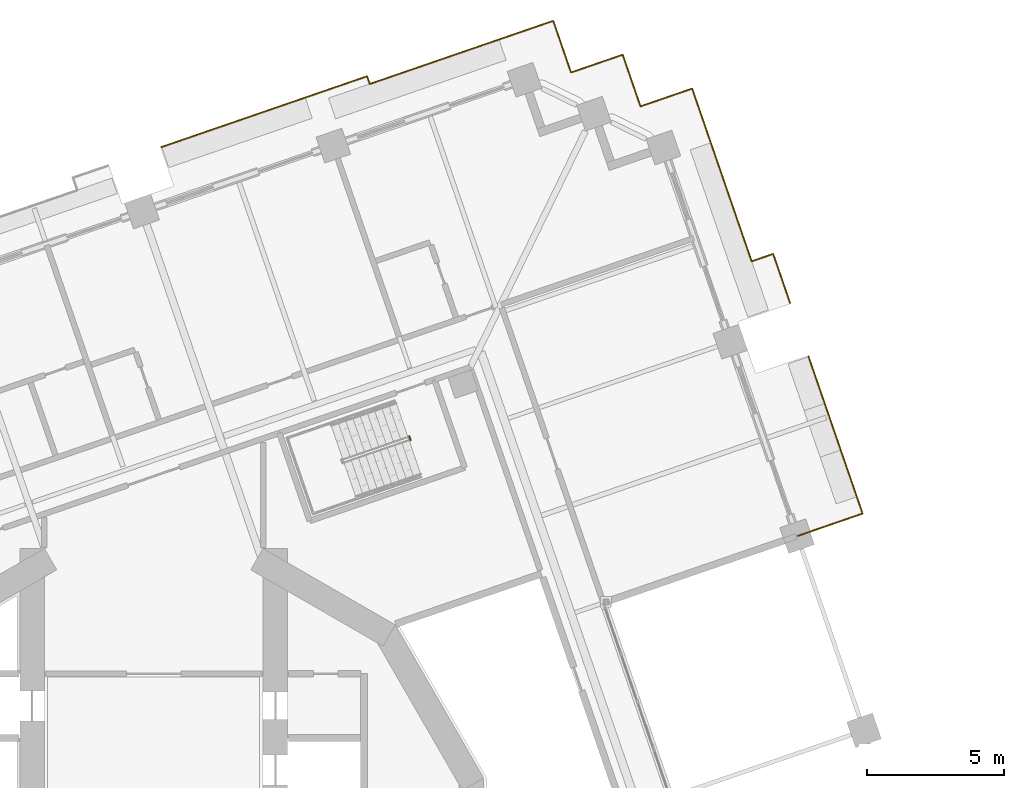
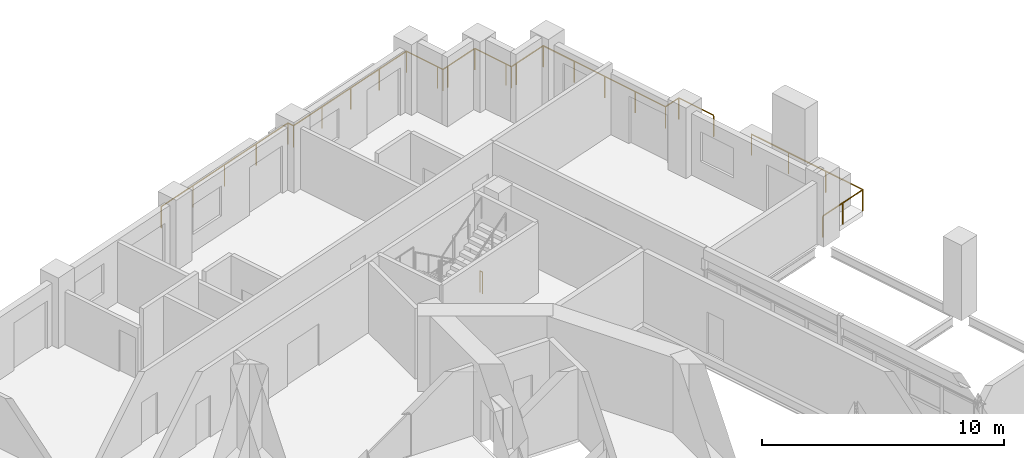
# One storey, part 21 of 22: 4 railings.
"""IFC4 building model written with IfcOpenShell, lengths in metres."""

from ifc_helpers import new_model, si_unit, direction, frame, origin, origin_2d, place, context, subcontext, project, spatial, circle, extrude, material, type_object, element, save


model = new_model("IFC4")

# Units and contexts
model_context = context("Model", 3, precision=1e-05, world=origin(), true_north=direction((0.0, 1.0)))
body_context = subcontext(model_context, "Body", "Model", "MODEL_VIEW")
ifc_project = project(units=[si_unit("LENGTHUNIT", "METRE"), si_unit("AREAUNIT", "SQUARE_METRE"), si_unit("VOLUMEUNIT", "CUBIC_METRE"), si_unit("PLANEANGLEUNIT", "RADIAN"), si_unit("MASSUNIT", "GRAM", prefix="KILO")], contexts=[model_context])

# Site, building, storey
site_placement = place(None, origin())
site = spatial("IfcSite", under=ifc_project, at=site_placement, CompositionType="ELEMENT")
building_placement = place(site_placement, origin())
building = spatial("IfcBuilding", under=site, at=building_placement, Name="Cantera Rosa Tower", CompositionType="ELEMENT")
storey_placement = place(building_placement, frame((0.0, 0.0, 115.5)))
storey = spatial("IfcBuildingStorey", under=building, at=storey_placement, Name="L23", CompositionType="ELEMENT", Elevation=115.5)

# Railings
ifc_material_1 = material(Name="Stainless steel and laminated glass", Category="steel")
railing_type_1 = type_object("IfcRailingType", Name="GUARD 1100", PredefinedType="BALUSTRADE", material=ifc_material_1)
railing_1_placement = place(storey_placement, frame((23.9619140625, 18.668212890625, 0.0)))
element("IfcRailing", 1, at=railing_1_placement, inside=storey, type_object=railing_type_1, Name="GUARD L23-11", PredefinedType="BALUSTRADE", context=body_context, shape_type="SweptSolid", body=[
    extrude(circle(Radius=0.030029296875, at=origin_2d()), frame((0.0, 0.0, 1.070068359375), z_axis=(0.325569345815, -0.945518165381, 0.0), x_axis=(0.945518165381, 0.325569345815, 0.0)), (0.0, 0.0, 1.0), 6.08984375),
    extrude(circle(Radius=0.030029296875, at=origin_2d()), frame((1.982666015625, -5.758056640625, 1.070068359375), z_axis=(-0.945510144898, -0.325592637963, 0.0), x_axis=(0.325592637963, -0.945510144898, 0.0)), (0.0, 0.0, 1.0), 2.51416015625),
    extrude(circle(Radius=0.02490234375, at=origin_2d()), origin(), (0.0, 0.0, 1.0), 1.0400390625),
    extrude(circle(Radius=0.02490234375, at=origin_2d()), frame((0.660888671875, -1.91943359375, 0.0)), (0.0, 0.0, 1.0), 1.0400390625),
    extrude(circle(Radius=0.02490234375, at=origin_2d()), frame((1.32177734375, -3.838623046875, 0.0)), (0.0, 0.0, 1.0), 1.0400390625),
    extrude(circle(Radius=0.02490234375, at=origin_2d()), frame((1.982666015625, -5.758056640625, 0.0)), (0.0, 0.0, 1.0), 1.0400390625),
    extrude(circle(Radius=0.02490234375, at=origin_2d()), frame((0.7939453125, -6.16748046875, 0.0)), (0.0, 0.0, 1.0), 1.0400390625),
    extrude(circle(Radius=0.02490234375, at=origin_2d()), frame((-0.39453125, -6.57666015625, 0.0)), (0.0, 0.0, 1.0), 1.0400390625),
])
railing_2_placement = place(storey_placement, frame((19.705810546875, 28.466552734375, 0.0)))
element("IfcRailing", 2, at=railing_2_placement, inside=storey, type_object=railing_type_1, Name="GUARD L23-12", PredefinedType="BALUSTRADE", context=body_context, shape_type="SweptSolid", body=[
    extrude(circle(Radius=0.030029296875, at=origin_2d()), frame((0.0, 0.0, 1.070068359375), z_axis=(0.325561349174, -0.945520918819, 0.0), x_axis=(0.945520918819, 0.325561349174, 0.0)), (0.0, 0.0, 1.0), 1.699951171875),
    extrude(circle(Radius=0.030029296875, at=origin_2d()), frame((0.553466796875, -1.607421875, 1.070068359375), z_axis=(0.325584707216, -0.945512875865, 0.0), x_axis=(0.945512875865, 0.325584707216, 0.0)), (0.0, 0.0, 1.0), 4.98583984375),
    extrude(circle(Radius=0.030029296875, at=origin_2d()), frame((2.1767578125, -6.321533203125, 1.070068359375), z_axis=(0.94547555612, 0.325693065293, 0.0), x_axis=(-0.325693065293, 0.94547555612, 0.0)), (0.0, 0.0, 1.0), 0.834228515625),
    extrude(circle(Radius=0.030029296875, at=origin_2d()), frame((2.965576171875, -6.0498046875, 1.070068359375), z_axis=(0.325520455673, -0.945534998262, 0.0), x_axis=(0.945534998262, 0.325520455673, 0.0)), (0.0, 0.0, 1.0), 1.904296875),
    extrude(circle(Radius=0.02490234375, at=origin_2d()), origin(), (0.0, 0.0, 1.0), 1.0400390625),
    extrude(circle(Radius=0.02490234375, at=origin_2d()), frame((0.553466796875, -1.607421875, 0.0)), (0.0, 0.0, 1.0), 1.0400390625),
    extrude(circle(Radius=0.02490234375, at=origin_2d()), frame((1.094482421875, -3.1787109375, 0.0)), (0.0, 0.0, 1.0), 1.0400390625),
    extrude(circle(Radius=0.02490234375, at=origin_2d()), frame((1.6357421875, -4.750244140625, 0.0)), (0.0, 0.0, 1.0), 1.0400390625),
    extrude(circle(Radius=0.02490234375, at=origin_2d()), frame((2.1767578125, -6.321533203125, 0.0)), (0.0, 0.0, 1.0), 1.0400390625),
    extrude(circle(Radius=0.02490234375, at=origin_2d()), frame((2.965576171875, -6.0498046875, 0.0)), (0.0, 0.0, 1.0), 1.0400390625),
    extrude(circle(Radius=0.02490234375, at=origin_2d()), frame((3.58544921875, -7.850341796875, 0.0)), (0.0, 0.0, 1.0), 1.0400390625),
])
railing_3_placement = place(storey_placement, frame((0.275146484375, 26.32275390625, 0.0)))
element("IfcRailing", 3, at=railing_3_placement, inside=storey, type_object=railing_type_1, Name="GUARD L23-13", PredefinedType="BALUSTRADE", context=body_context, shape_type="SweptSolid", body=[
    extrude(circle(Radius=0.030029296875, at=origin_2d()), frame((0.0, 0.0, 1.070068359375), z_axis=(0.945508985481, 0.32559600485, 0.0), x_axis=(-0.32559600485, 0.945508985481, 0.0)), (0.0, 0.0, 1.0), 7.96923828125),
    extrude(circle(Radius=0.030029296875, at=origin_2d()), frame((7.534912109375, 2.5947265625, 1.070068359375), z_axis=(0.325512939397, -0.945537585866, 0.0), x_axis=(0.945537585866, 0.325512939397, 0.0)), (0.0, 0.0, 1.0), 0.29931640625),
    extrude(circle(Radius=0.030029296875, at=origin_2d()), frame((7.63232421875, 2.311767578125, 1.070068359375), z_axis=(0.945522759596, 0.325556002993, 0.0), x_axis=(-0.325556002993, 0.945522759596, 0.0)), (0.0, 0.0, 1.0), 5.40087890625),
    extrude(circle(Radius=0.030029296875, at=origin_2d()), frame((12.739013671875, 4.070068359375, 1.070068359375), z_axis=(0.945520918819, 0.325561349174, 0.0), x_axis=(-0.325561349174, 0.945520918819, 0.0)), (0.0, 0.0, 1.0), 1.699951171875),
    extrude(circle(Radius=0.030029296875, at=origin_2d()), frame((14.346435546875, 4.62353515625, 1.070068359375), z_axis=(0.325561349174, -0.945520918819, 0.0), x_axis=(0.945520918819, 0.325561349174, 0.0)), (0.0, 0.0, 1.0), 1.699951171875),
    extrude(circle(Radius=0.030029296875, at=origin_2d()), frame((14.89990234375, 3.01611328125, 1.070068359375), z_axis=(0.325489086777, -0.945545797087, 0.0), x_axis=(0.945545797087, 0.325489086777, 0.0)), (0.0, 0.0, 1.0), 0.300048828125),
    extrude(circle(Radius=0.030029296875, at=origin_2d()), frame((14.99755859375, 2.732421875, 1.070068359375), z_axis=(0.945459489149, 0.325739703411, 0.0), x_axis=(-0.325739703411, 0.945459489149, 0.0)), (0.0, 0.0, 1.0), 0.2998046875),
    extrude(circle(Radius=0.030029296875, at=origin_2d()), frame((15.281005859375, 2.830078125, 1.070068359375), z_axis=(0.945520918819, 0.325561349174, 0.0), x_axis=(-0.325561349174, 0.945520918819, 0.0)), (0.0, 0.0, 1.0), 1.699951171875),
    extrude(circle(Radius=0.030029296875, at=origin_2d()), frame((16.888427734375, 3.383544921875, 1.070068359375), z_axis=(0.325605561237, -0.945505694584, 0.0), x_axis=(0.945505694584, 0.325605561237, 0.0)), (0.0, 0.0, 1.0), 1.69970703125),
    extrude(circle(Radius=0.030029296875, at=origin_2d()), frame((17.44189453125, 1.7763671875, 1.070068359375), z_axis=(0.325489086777, -0.945545797087, 0.0), x_axis=(0.945545797087, 0.325489086777, 0.0)), (0.0, 0.0, 1.0), 0.300048828125),
    extrude(circle(Radius=0.030029296875, at=origin_2d()), frame((17.53955078125, 1.49267578125, 1.070068359375), z_axis=(0.945545797087, 0.325489086777, 0.0), x_axis=(-0.325489086777, 0.945545797087, 0.0)), (0.0, 0.0, 1.0), 0.300048828125),
    extrude(circle(Radius=0.030029296875, at=origin_2d()), frame((17.8232421875, 1.59033203125, 1.070068359375), z_axis=(0.945520918819, 0.325561349174, 0.0), x_axis=(-0.325561349174, 0.945520918819, 0.0)), (0.0, 0.0, 1.0), 1.699951171875),
    extrude(circle(Radius=0.02490234375, at=origin_2d()), origin(), (0.0, 0.0, 1.0), 1.0400390625),
    extrude(circle(Radius=0.02490234375, at=origin_2d()), frame((1.8837890625, 0.648681640625, 0.0)), (0.0, 0.0, 1.0), 1.0400390625),
    extrude(circle(Radius=0.02490234375, at=origin_2d()), frame((3.767578125, 1.29736328125, 0.0)), (0.0, 0.0, 1.0), 1.0400390625),
    extrude(circle(Radius=0.02490234375, at=origin_2d()), frame((5.651123046875, 1.946044921875, 0.0)), (0.0, 0.0, 1.0), 1.0400390625),
    extrude(circle(Radius=0.02490234375, at=origin_2d()), frame((7.534912109375, 2.5947265625, 0.0)), (0.0, 0.0, 1.0), 1.0400390625),
    extrude(circle(Radius=0.02490234375, at=origin_2d()), frame((7.63232421875, 2.311767578125, 0.0)), (0.0, 0.0, 1.0), 1.0400390625),
    extrude(circle(Radius=0.02490234375, at=origin_2d()), frame((9.33447265625, 2.89794921875, 0.0)), (0.0, 0.0, 1.0), 1.0400390625),
    extrude(circle(Radius=0.02490234375, at=origin_2d()), frame((11.036865234375, 3.48388671875, 0.0)), (0.0, 0.0, 1.0), 1.0400390625),
    extrude(circle(Radius=0.02490234375, at=origin_2d()), frame((12.739013671875, 4.070068359375, 0.0)), (0.0, 0.0, 1.0), 1.0400390625),
    extrude(circle(Radius=0.02490234375, at=origin_2d()), frame((14.346435546875, 4.62353515625, 0.0)), (0.0, 0.0, 1.0), 1.0400390625),
    extrude(circle(Radius=0.02490234375, at=origin_2d()), frame((14.89990234375, 3.01611328125, 0.0)), (0.0, 0.0, 1.0), 1.0400390625),
    extrude(circle(Radius=0.02490234375, at=origin_2d()), frame((14.99755859375, 2.732421875, 0.0)), (0.0, 0.0, 1.0), 1.0400390625),
    extrude(circle(Radius=0.02490234375, at=origin_2d()), frame((15.281005859375, 2.830078125, 0.0)), (0.0, 0.0, 1.0), 1.0400390625),
    extrude(circle(Radius=0.02490234375, at=origin_2d()), frame((16.888427734375, 3.383544921875, 0.0)), (0.0, 0.0, 1.0), 1.0400390625),
    extrude(circle(Radius=0.02490234375, at=origin_2d()), frame((17.44189453125, 1.7763671875, 0.0)), (0.0, 0.0, 1.0), 1.0400390625),
    extrude(circle(Radius=0.02490234375, at=origin_2d()), frame((17.53955078125, 1.49267578125, 0.0)), (0.0, 0.0, 1.0), 1.0400390625),
    extrude(circle(Radius=0.02490234375, at=origin_2d()), frame((17.8232421875, 1.59033203125, 0.0)), (0.0, 0.0, 1.0), 1.0400390625),
    extrude(circle(Radius=0.02490234375, at=origin_2d()), frame((19.4306640625, 2.143798828125, 0.0)), (0.0, 0.0, 1.0), 1.0400390625),
])
ifc_material_2 = material(Name="Steel S355J2 (EN 10025-2)", Category="steel")
railing_type_2 = type_object("IfcRailingType", Name="STAIR GUARD 1100", PredefinedType="GUARDRAIL", material=ifc_material_2)
railing_4_placement = place(storey_placement, frame((9.3466796875, 15.742919921875, 0.0)))
element("IfcRailing", 4, at=railing_4_placement, inside=storey, type_object=railing_type_2, Name="L23 ST-21 stair guard 3", PredefinedType="GUARDRAIL", context=body_context, shape_type="SweptSolid", body=[
    extrude(circle(Radius=0.02392578125, at=origin_2d()), frame((0.0, 0.0, 1.076171875), z_axis=(0.325489086777, -0.945545797087, 0.0), x_axis=(0.945545797087, 0.325489086777, 0.0)), (0.0, 0.0, 1.0), 0.14990234375),
    extrude(circle(Radius=0.02099609375, at=origin_2d()), origin(), (0.0, 0.0, 1.0), 1.052001953125),
    extrude(circle(Radius=0.02099609375, at=origin_2d()), frame((0.048828125, -0.141845703125, 0.0)), (0.0, 0.0, 1.0), 1.052001953125),
])

save(model, "model.ifc")
